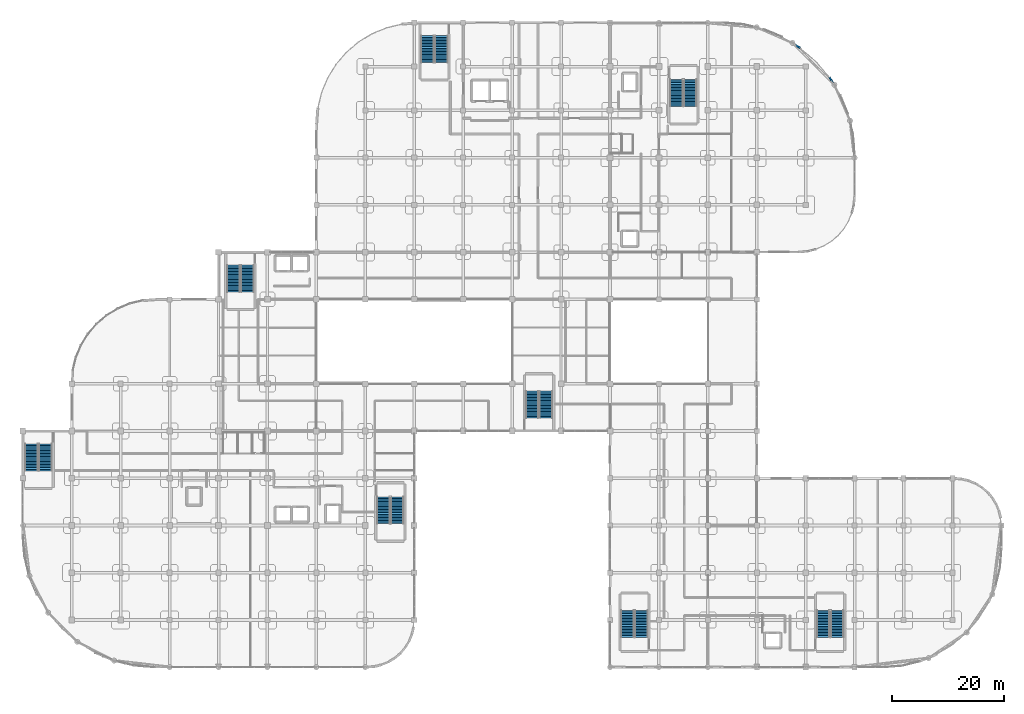
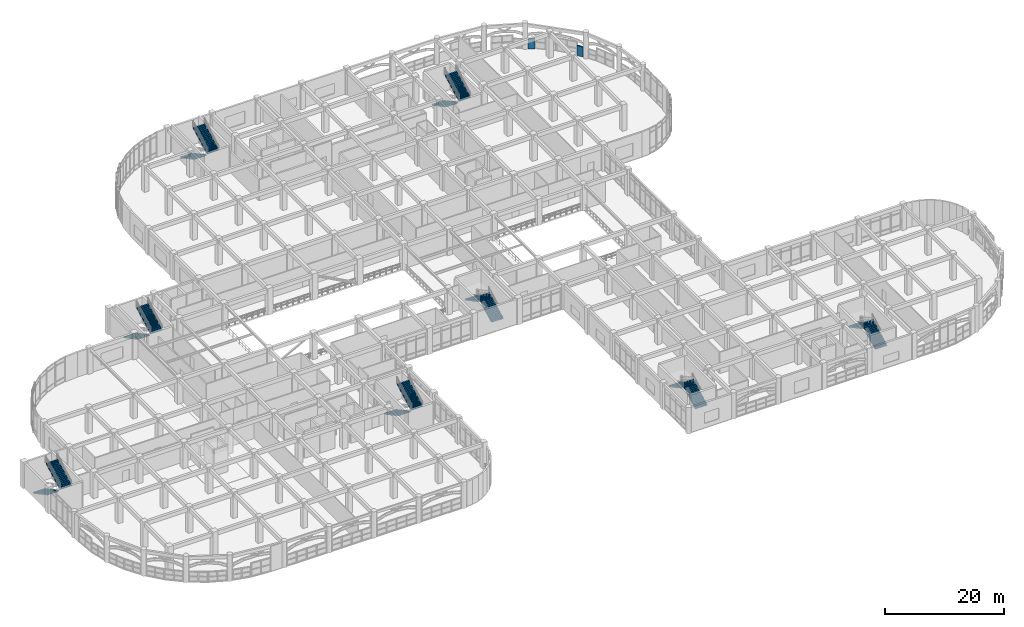
# One storey, part 101 of 114: 16 stair flights, 2 walls, 8 elements without a shape of their own.
"""IFC4 building model written with IfcOpenShell, lengths in metres."""

from ifc_helpers import new_model, si_unit, derived_unit, direction, frame, frame_2d, origin, place, context, subcontext, project, spatial, polyline, rectangle, outline, extrude, material, layer, layer_set, type_object, element, aggregate, save


model = new_model("IFC4")

# Units and contexts
model_context = context("Model", 3, precision=1e-05, world=origin(), true_north=direction((0.0, 1.0)))
body_context = subcontext(model_context, "Body", "Model", "MODEL_VIEW")
ifc_project = project(units=[si_unit("LENGTHUNIT", "METRE"), si_unit("AREAUNIT", "SQUARE_METRE"), si_unit("VOLUMEUNIT", "CUBIC_METRE"), si_unit("PLANEANGLEUNIT", "RADIAN"), si_unit("MASSUNIT", "GRAM", prefix="KILO"), derived_unit("THERMALTRANSMITTANCEUNIT", [(si_unit("MASSUNIT", "GRAM", prefix="KILO"), 1), (si_unit("TIMEUNIT", "SECOND"), -3), (si_unit("THERMODYNAMICTEMPERATUREUNIT", "KELVIN"), -1)])], contexts=[model_context])

# Site, building, storey
site_placement = place(None, origin())
site = spatial("IfcSite", under=ifc_project, at=site_placement, CompositionType="ELEMENT")
building_placement = place(site_placement, origin())
building = spatial("IfcBuilding", under=site, at=building_placement, Name="Qinzheling Arcade Emporium", CompositionType="ELEMENT")
storey_placement = place(building_placement, frame((0.0, 0.0, 6.0)))
storey = spatial("IfcBuildingStorey", under=building, at=storey_placement, Name="L02", CompositionType="ELEMENT", Elevation=6.0)

# Walls
ifc_material_1 = material(Name="Buff glazed terracotta insulated wall", Category="masonry")
ifc_layer = layer(ifc_material_1, 0.2900390625, Name="Buff glazed terracotta insulated wall", Category="masonry")
ifc_layer_set = layer_set([ifc_layer], Name="Buff glazed terracotta insulated wall")
wall_type = type_object("IfcWallType", Name="Office Bar Terracotta Wall 290", PredefinedType="STANDARD", material=ifc_layer_set)
for number, where, z_axis, x_axis, name in (
    (1, (137.222900390625, 110.718994140625, 0.0), (0.0, 0.0, 1.0), (0.852537791363, -0.522665585531, 0.0), "Exterior Wall WL-L02-EW-0131"),
    (2, (143.412109375, 104.9130859375, 0.0), (0.0, 0.0, 1.0), (0.522665585531, -0.852537791363, 0.0), "Exterior Wall WL-L02-EW-0132"),
):
    element("IfcWall", number, at=place(storey_placement, frame(where, z_axis=z_axis, x_axis=x_axis)), inside=storey, type_object=wall_type, Name=name, PredefinedType="STANDARD", context=body_context, shape_type="SweptSolid", body=[
        extrude(rectangle(XDim=1.1611328125, YDim=0.2900390625, at=frame_2d((0.58056640625, 0.0))), origin(), (0.0, 0.0, 1.0), 2.02490234375),
    ])

# Stair, stair flights
ifc_material_2 = material(Name="Concrete C40", Category="concrete")
stair_type = type_object("IfcStairType", Name="Cast-in-Situ Dog-Leg Escape Stair H5400", PredefinedType="HALF_TURN_STAIR", material=ifc_material_2)
stair_1_placement = place(storey_placement, origin())
stair_1 = element("IfcStair", 3, at=stair_1_placement, inside=storey, type_object=stair_type, Name="L02 ST01", PredefinedType="HALF_TURN_STAIR")
stair_flight_type = type_object("IfcStairFlightType", Name="Cast-in-Situ Straight Stair Flight 150x280 H5400", PredefinedType="STRAIGHT", material=ifc_material_2)
stair_flight_1_placement = place(storey_placement, frame((64.110107421875, 30.280029296875, 0.0), z_axis=(0.0, 0.0, 1.0), x_axis=(0.0, -1.0, 0.0)))
stair_flight_1 = element("IfcStairFlight", 4, at=stair_flight_1_placement, type_object=stair_flight_type, Name="ST01 flight 1", NumberOfRisers=18, NumberOfTreads=17, PredefinedType="STRAIGHT", RiserHeight=0.15, TreadLength=0.28, context=body_context, shape_type="SweptSolid", body=[
    extrude(outline(polyline([(0.0, 0.0), (0.0, 0.14990234375), (0.280029296875, 0.14990234375), (0.280029296875, 0.300048828125), (0.56005859375, 0.300048828125), (0.56005859375, 0.449951171875), (0.840087890625, 0.449951171875), (0.840087890625, 0.60009765625), (1.1201171875, 0.60009765625), (1.1201171875, 0.75), (1.39990234375, 0.75), (1.39990234375, 0.89990234375), (1.679931640625, 0.89990234375), (1.679931640625, 1.050048828125), (1.9599609375, 1.050048828125), (1.9599609375, 1.199951171875), (2.239990234375, 1.199951171875), (2.239990234375, 1.35009765625), (2.52001953125, 1.35009765625), (2.52001953125, 1.5), (2.800048828125, 1.5), (2.800048828125, 1.64990234375), (3.080078125, 1.64990234375), (3.080078125, 1.800048828125), (3.360107421875, 1.800048828125), (3.360107421875, 1.949951171875), (3.639892578125, 1.949951171875), (3.639892578125, 2.10009765625), (3.919921875, 2.10009765625), (3.919921875, 2.25), (4.199951171875, 2.25), (4.199951171875, 2.39990234375), (4.47998046875, 2.39990234375), (4.47998046875, 2.550048828125), (4.760009765625, 2.550048828125), (4.760009765625, 2.699951171875), (4.760009765625, 2.36865234375), (0.338623046875, 0.0), (0.0, 0.0)])), frame((0.0, 1.16015625, 0.0), z_axis=(0.0, -1.0, 0.0), x_axis=(1.0, 0.0, 0.0)), (0.0, 0.0, 1.0), 2.320068359375),
])
stair_flight_2_placement = place(storey_placement, frame((66.580078125, 25.52001953125, 2.699951171875), z_axis=(0.0, 0.0, 1.0), x_axis=(0.0, 1.0, 0.0)))
stair_flight_2 = element("IfcStairFlight", 5, at=stair_flight_2_placement, type_object=stair_flight_type, Name="ST01 flight 2", NumberOfRisers=18, NumberOfTreads=17, PredefinedType="STRAIGHT", RiserHeight=0.15, TreadLength=0.28, context=body_context, shape_type="SweptSolid", body=[
    extrude(outline(polyline([(0.0, 0.0), (0.0, 0.14990234375), (0.280029296875, 0.14990234375), (0.280029296875, 0.300048828125), (0.56005859375, 0.300048828125), (0.56005859375, 0.449951171875), (0.840087890625, 0.449951171875), (0.840087890625, 0.60009765625), (1.1201171875, 0.60009765625), (1.1201171875, 0.75), (1.39990234375, 0.75), (1.39990234375, 0.89990234375), (1.679931640625, 0.89990234375), (1.679931640625, 1.050048828125), (1.9599609375, 1.050048828125), (1.9599609375, 1.199951171875), (2.239990234375, 1.199951171875), (2.239990234375, 1.35009765625), (2.52001953125, 1.35009765625), (2.52001953125, 1.5), (2.800048828125, 1.5), (2.800048828125, 1.64990234375), (3.080078125, 1.64990234375), (3.080078125, 1.800048828125), (3.360107421875, 1.800048828125), (3.360107421875, 1.949951171875), (3.639892578125, 1.949951171875), (3.639892578125, 2.10009765625), (3.919921875, 2.10009765625), (3.919921875, 2.25), (4.199951171875, 2.25), (4.199951171875, 2.39990234375), (4.47998046875, 2.39990234375), (4.47998046875, 2.550048828125), (4.760009765625, 2.550048828125), (4.760009765625, 2.699951171875), (4.760009765625, 2.36865234375), (0.338623046875, 0.0), (0.0, 0.0)])), frame((0.0, 1.16015625, 0.0), z_axis=(0.0, -1.0, 0.0), x_axis=(1.0, 0.0, 0.0)), (0.0, 0.0, 1.0), 2.320068359375),
])
aggregate(stair_1, [stair_flight_1, stair_flight_2])

stair_2_placement = place(storey_placement, origin())
stair_2 = element("IfcStair", 6, at=stair_2_placement, inside=storey, type_object=stair_type, Name="L02 ST02", PredefinedType="HALF_TURN_STAIR")
stair_flight_3_placement = place(storey_placement, frame((1.56005859375, 39.679931640625, 0.0), z_axis=(0.0, 0.0, 1.0), x_axis=(0.0, -1.0, 0.0)))
stair_flight_3 = element("IfcStairFlight", 7, at=stair_flight_3_placement, type_object=stair_flight_type, Name="ST02 flight 1", NumberOfRisers=18, NumberOfTreads=17, PredefinedType="STRAIGHT", RiserHeight=0.15, TreadLength=0.28, context=body_context, shape_type="SweptSolid", body=[
    extrude(outline(polyline([(0.0, 0.0), (0.0, 0.14990234375), (0.280029296875, 0.14990234375), (0.280029296875, 0.300048828125), (0.56005859375, 0.300048828125), (0.56005859375, 0.449951171875), (0.840087890625, 0.449951171875), (0.840087890625, 0.60009765625), (1.1201171875, 0.60009765625), (1.1201171875, 0.75), (1.39990234375, 0.75), (1.39990234375, 0.89990234375), (1.679931640625, 0.89990234375), (1.679931640625, 1.050048828125), (1.9599609375, 1.050048828125), (1.9599609375, 1.199951171875), (2.239990234375, 1.199951171875), (2.239990234375, 1.35009765625), (2.52001953125, 1.35009765625), (2.52001953125, 1.5), (2.800048828125, 1.5), (2.800048828125, 1.64990234375), (3.080078125, 1.64990234375), (3.080078125, 1.800048828125), (3.360107421875, 1.800048828125), (3.360107421875, 1.949951171875), (3.639892578125, 1.949951171875), (3.639892578125, 2.10009765625), (3.919921875, 2.10009765625), (3.919921875, 2.25), (4.199951171875, 2.25), (4.199951171875, 2.39990234375), (4.47998046875, 2.39990234375), (4.47998046875, 2.550048828125), (4.760009765625, 2.550048828125), (4.760009765625, 2.699951171875), (4.760009765625, 2.36865234375), (0.338623046875, 0.0), (0.0, 0.0)])), frame((0.0, 1.16015625, 0.0), z_axis=(0.0, -1.0, 0.0), x_axis=(1.0, 0.0, 0.0)), (0.0, 0.0, 1.0), 2.320068359375),
])
stair_flight_4_placement = place(storey_placement, frame((4.030029296875, 34.919921875, 2.699951171875), z_axis=(0.0, 0.0, 1.0), x_axis=(0.0, 1.0, 0.0)))
stair_flight_4 = element("IfcStairFlight", 8, at=stair_flight_4_placement, type_object=stair_flight_type, Name="ST02 flight 2", NumberOfRisers=18, NumberOfTreads=17, PredefinedType="STRAIGHT", RiserHeight=0.15, TreadLength=0.28, context=body_context, shape_type="SweptSolid", body=[
    extrude(outline(polyline([(0.0, 0.0), (0.0, 0.14990234375), (0.280029296875, 0.14990234375), (0.280029296875, 0.300048828125), (0.56005859375, 0.300048828125), (0.56005859375, 0.449951171875), (0.840087890625, 0.449951171875), (0.840087890625, 0.60009765625), (1.1201171875, 0.60009765625), (1.1201171875, 0.75), (1.39990234375, 0.75), (1.39990234375, 0.89990234375), (1.679931640625, 0.89990234375), (1.679931640625, 1.050048828125), (1.9599609375, 1.050048828125), (1.9599609375, 1.199951171875), (2.239990234375, 1.199951171875), (2.239990234375, 1.35009765625), (2.52001953125, 1.35009765625), (2.52001953125, 1.5), (2.800048828125, 1.5), (2.800048828125, 1.64990234375), (3.080078125, 1.64990234375), (3.080078125, 1.800048828125), (3.360107421875, 1.800048828125), (3.360107421875, 1.949951171875), (3.639892578125, 1.949951171875), (3.639892578125, 2.10009765625), (3.919921875, 2.10009765625), (3.919921875, 2.25), (4.199951171875, 2.25), (4.199951171875, 2.39990234375), (4.47998046875, 2.39990234375), (4.47998046875, 2.550048828125), (4.760009765625, 2.550048828125), (4.760009765625, 2.699951171875), (4.760009765625, 2.36865234375), (0.338623046875, 0.0), (0.0, 0.0)])), frame((0.0, 1.16015625, 0.0), z_axis=(0.0, -1.0, 0.0), x_axis=(1.0, 0.0, 0.0)), (0.0, 0.0, 1.0), 2.320068359375),
])
aggregate(stair_2, [stair_flight_3, stair_flight_4])

stair_3_placement = place(storey_placement, origin())
stair_3 = element("IfcStair", 9, at=stair_3_placement, inside=storey, type_object=stair_type, Name="L02 ST03", PredefinedType="HALF_TURN_STAIR")
stair_flight_5_placement = place(storey_placement, frame((37.4599609375, 71.47998046875, 0.0), z_axis=(0.0, 0.0, 1.0), x_axis=(0.0, -1.0, 0.0)))
stair_flight_5 = element("IfcStairFlight", 10, at=stair_flight_5_placement, type_object=stair_flight_type, Name="ST03 flight 1", NumberOfRisers=18, NumberOfTreads=17, PredefinedType="STRAIGHT", RiserHeight=0.15, TreadLength=0.28, context=body_context, shape_type="SweptSolid", body=[
    extrude(outline(polyline([(0.0, 0.0), (0.0, 0.14990234375), (0.280029296875, 0.14990234375), (0.280029296875, 0.300048828125), (0.56005859375, 0.300048828125), (0.56005859375, 0.449951171875), (0.840087890625, 0.449951171875), (0.840087890625, 0.60009765625), (1.1201171875, 0.60009765625), (1.1201171875, 0.75), (1.39990234375, 0.75), (1.39990234375, 0.89990234375), (1.679931640625, 0.89990234375), (1.679931640625, 1.050048828125), (1.9599609375, 1.050048828125), (1.9599609375, 1.199951171875), (2.239990234375, 1.199951171875), (2.239990234375, 1.35009765625), (2.52001953125, 1.35009765625), (2.52001953125, 1.5), (2.800048828125, 1.5), (2.800048828125, 1.64990234375), (3.080078125, 1.64990234375), (3.080078125, 1.800048828125), (3.360107421875, 1.800048828125), (3.360107421875, 1.949951171875), (3.639892578125, 1.949951171875), (3.639892578125, 2.10009765625), (3.919921875, 2.10009765625), (3.919921875, 2.25), (4.199951171875, 2.25), (4.199951171875, 2.39990234375), (4.47998046875, 2.39990234375), (4.47998046875, 2.550048828125), (4.760009765625, 2.550048828125), (4.760009765625, 2.699951171875), (4.760009765625, 2.36865234375), (0.338623046875, 0.0), (0.0, 0.0)])), frame((0.0, 1.16015625, 0.0), z_axis=(0.0, -1.0, 0.0), x_axis=(1.0, 0.0, 0.0)), (0.0, 0.0, 1.0), 2.320068359375),
])
stair_flight_6_placement = place(storey_placement, frame((39.929931640625, 66.719970703125, 2.699951171875), z_axis=(0.0, 0.0, 1.0), x_axis=(0.0, 1.0, 0.0)))
stair_flight_6 = element("IfcStairFlight", 11, at=stair_flight_6_placement, type_object=stair_flight_type, Name="ST03 flight 2", NumberOfRisers=18, NumberOfTreads=17, PredefinedType="STRAIGHT", RiserHeight=0.15, TreadLength=0.28, context=body_context, shape_type="SweptSolid", body=[
    extrude(outline(polyline([(0.0, 0.0), (0.0, 0.14990234375), (0.280029296875, 0.14990234375), (0.280029296875, 0.300048828125), (0.56005859375, 0.300048828125), (0.56005859375, 0.449951171875), (0.840087890625, 0.449951171875), (0.840087890625, 0.60009765625), (1.1201171875, 0.60009765625), (1.1201171875, 0.75), (1.39990234375, 0.75), (1.39990234375, 0.89990234375), (1.679931640625, 0.89990234375), (1.679931640625, 1.050048828125), (1.9599609375, 1.050048828125), (1.9599609375, 1.199951171875), (2.239990234375, 1.199951171875), (2.239990234375, 1.35009765625), (2.52001953125, 1.35009765625), (2.52001953125, 1.5), (2.800048828125, 1.5), (2.800048828125, 1.64990234375), (3.080078125, 1.64990234375), (3.080078125, 1.800048828125), (3.360107421875, 1.800048828125), (3.360107421875, 1.949951171875), (3.639892578125, 1.949951171875), (3.639892578125, 2.10009765625), (3.919921875, 2.10009765625), (3.919921875, 2.25), (4.199951171875, 2.25), (4.199951171875, 2.39990234375), (4.47998046875, 2.39990234375), (4.47998046875, 2.550048828125), (4.760009765625, 2.550048828125), (4.760009765625, 2.699951171875), (4.760009765625, 2.36865234375), (0.338623046875, 0.0), (0.0, 0.0)])), frame((0.0, 1.16015625, 0.0), z_axis=(0.0, -1.0, 0.0), x_axis=(1.0, 0.0, 0.0)), (0.0, 0.0, 1.0), 2.320068359375),
])
aggregate(stair_3, [stair_flight_5, stair_flight_6])

stair_4_placement = place(storey_placement, origin())
stair_4 = element("IfcStair", 12, at=stair_4_placement, inside=storey, type_object=stair_type, Name="L02 ST04", PredefinedType="HALF_TURN_STAIR")
stair_flight_7_placement = place(storey_placement, frame((93.030029296875, 44.320068359375, 0.0), z_axis=(0.0, 0.0, 1.0), x_axis=(0.0, 1.0, 0.0)))
stair_flight_7 = element("IfcStairFlight", 13, at=stair_flight_7_placement, type_object=stair_flight_type, Name="ST04 flight 1", NumberOfRisers=18, NumberOfTreads=17, PredefinedType="STRAIGHT", RiserHeight=0.15, TreadLength=0.28, context=body_context, shape_type="SweptSolid", body=[
    extrude(outline(polyline([(0.0, 0.0), (0.0, 0.14990234375), (0.280029296875, 0.14990234375), (0.280029296875, 0.300048828125), (0.56005859375, 0.300048828125), (0.56005859375, 0.449951171875), (0.840087890625, 0.449951171875), (0.840087890625, 0.60009765625), (1.1201171875, 0.60009765625), (1.1201171875, 0.75), (1.39990234375, 0.75), (1.39990234375, 0.89990234375), (1.679931640625, 0.89990234375), (1.679931640625, 1.050048828125), (1.9599609375, 1.050048828125), (1.9599609375, 1.199951171875), (2.239990234375, 1.199951171875), (2.239990234375, 1.35009765625), (2.52001953125, 1.35009765625), (2.52001953125, 1.5), (2.800048828125, 1.5), (2.800048828125, 1.64990234375), (3.080078125, 1.64990234375), (3.080078125, 1.800048828125), (3.360107421875, 1.800048828125), (3.360107421875, 1.949951171875), (3.639892578125, 1.949951171875), (3.639892578125, 2.10009765625), (3.919921875, 2.10009765625), (3.919921875, 2.25), (4.199951171875, 2.25), (4.199951171875, 2.39990234375), (4.47998046875, 2.39990234375), (4.47998046875, 2.550048828125), (4.760009765625, 2.550048828125), (4.760009765625, 2.699951171875), (4.760009765625, 2.36865234375), (0.338623046875, 0.0), (0.0, 0.0)])), frame((0.0, 1.16015625, 0.0), z_axis=(0.0, -1.0, 0.0), x_axis=(1.0, 0.0, 0.0)), (0.0, 0.0, 1.0), 2.320068359375),
])
stair_flight_8_placement = place(storey_placement, frame((90.56005859375, 49.080078125, 2.699951171875), z_axis=(0.0, 0.0, 1.0), x_axis=(0.0, -1.0, 0.0)))
stair_flight_8 = element("IfcStairFlight", 14, at=stair_flight_8_placement, type_object=stair_flight_type, Name="ST04 flight 2", NumberOfRisers=18, NumberOfTreads=17, PredefinedType="STRAIGHT", RiserHeight=0.15, TreadLength=0.28, context=body_context, shape_type="SweptSolid", body=[
    extrude(outline(polyline([(0.0, 0.0), (0.0, 0.14990234375), (0.280029296875, 0.14990234375), (0.280029296875, 0.300048828125), (0.56005859375, 0.300048828125), (0.56005859375, 0.449951171875), (0.840087890625, 0.449951171875), (0.840087890625, 0.60009765625), (1.1201171875, 0.60009765625), (1.1201171875, 0.75), (1.39990234375, 0.75), (1.39990234375, 0.89990234375), (1.679931640625, 0.89990234375), (1.679931640625, 1.050048828125), (1.9599609375, 1.050048828125), (1.9599609375, 1.199951171875), (2.239990234375, 1.199951171875), (2.239990234375, 1.35009765625), (2.52001953125, 1.35009765625), (2.52001953125, 1.5), (2.800048828125, 1.5), (2.800048828125, 1.64990234375), (3.080078125, 1.64990234375), (3.080078125, 1.800048828125), (3.360107421875, 1.800048828125), (3.360107421875, 1.949951171875), (3.639892578125, 1.949951171875), (3.639892578125, 2.10009765625), (3.919921875, 2.10009765625), (3.919921875, 2.25), (4.199951171875, 2.25), (4.199951171875, 2.39990234375), (4.47998046875, 2.39990234375), (4.47998046875, 2.550048828125), (4.760009765625, 2.550048828125), (4.760009765625, 2.699951171875), (4.760009765625, 2.36865234375), (0.338623046875, 0.0), (0.0, 0.0)])), frame((0.0, 1.16015625, 0.0), z_axis=(0.0, -1.0, 0.0), x_axis=(1.0, 0.0, 0.0)), (0.0, 0.0, 1.0), 2.320068359375),
])
aggregate(stair_4, [stair_flight_7, stair_flight_8])

stair_5_placement = place(storey_placement, origin())
stair_5 = element("IfcStair", 15, at=stair_5_placement, inside=storey, type_object=stair_type, Name="L02 ST05", PredefinedType="HALF_TURN_STAIR")
stair_flight_9_placement = place(storey_placement, frame((109.985107421875, 5.320068359375, 0.0), z_axis=(0.0, 0.0, 1.0), x_axis=(0.0, 1.0, 0.0)))
stair_flight_9 = element("IfcStairFlight", 16, at=stair_flight_9_placement, type_object=stair_flight_type, Name="ST05 flight 1", NumberOfRisers=18, NumberOfTreads=17, PredefinedType="STRAIGHT", RiserHeight=0.15, TreadLength=0.28, context=body_context, shape_type="SweptSolid", body=[
    extrude(outline(polyline([(0.0, 0.0), (0.0, 0.14990234375), (0.280029296875, 0.14990234375), (0.280029296875, 0.300048828125), (0.56005859375, 0.300048828125), (0.56005859375, 0.449951171875), (0.840087890625, 0.449951171875), (0.840087890625, 0.60009765625), (1.1201171875, 0.60009765625), (1.1201171875, 0.75), (1.39990234375, 0.75), (1.39990234375, 0.89990234375), (1.679931640625, 0.89990234375), (1.679931640625, 1.050048828125), (1.9599609375, 1.050048828125), (1.9599609375, 1.199951171875), (2.239990234375, 1.199951171875), (2.239990234375, 1.35009765625), (2.52001953125, 1.35009765625), (2.52001953125, 1.5), (2.800048828125, 1.5), (2.800048828125, 1.64990234375), (3.080078125, 1.64990234375), (3.080078125, 1.800048828125), (3.360107421875, 1.800048828125), (3.360107421875, 1.949951171875), (3.639892578125, 1.949951171875), (3.639892578125, 2.10009765625), (3.919921875, 2.10009765625), (3.919921875, 2.25), (4.199951171875, 2.25), (4.199951171875, 2.39990234375), (4.47998046875, 2.39990234375), (4.47998046875, 2.550048828125), (4.760009765625, 2.550048828125), (4.760009765625, 2.699951171875), (4.760009765625, 2.36865234375), (0.338623046875, 0.0), (0.0, 0.0)])), frame((0.0, 1.16015625, 0.0), z_axis=(0.0, -1.0, 0.0), x_axis=(1.0, 0.0, 0.0)), (0.0, 0.0, 1.0), 2.320068359375),
])
stair_flight_10_placement = place(storey_placement, frame((107.514892578125, 10.080078125, 2.699951171875), z_axis=(0.0, 0.0, 1.0), x_axis=(0.0, -1.0, 0.0)))
stair_flight_10 = element("IfcStairFlight", 17, at=stair_flight_10_placement, type_object=stair_flight_type, Name="ST05 flight 2", NumberOfRisers=18, NumberOfTreads=17, PredefinedType="STRAIGHT", RiserHeight=0.15, TreadLength=0.28, context=body_context, shape_type="SweptSolid", body=[
    extrude(outline(polyline([(0.0, 0.0), (0.0, 0.14990234375), (0.280029296875, 0.14990234375), (0.280029296875, 0.300048828125), (0.56005859375, 0.300048828125), (0.56005859375, 0.449951171875), (0.840087890625, 0.449951171875), (0.840087890625, 0.60009765625), (1.1201171875, 0.60009765625), (1.1201171875, 0.75), (1.39990234375, 0.75), (1.39990234375, 0.89990234375), (1.679931640625, 0.89990234375), (1.679931640625, 1.050048828125), (1.9599609375, 1.050048828125), (1.9599609375, 1.199951171875), (2.239990234375, 1.199951171875), (2.239990234375, 1.35009765625), (2.52001953125, 1.35009765625), (2.52001953125, 1.5), (2.800048828125, 1.5), (2.800048828125, 1.64990234375), (3.080078125, 1.64990234375), (3.080078125, 1.800048828125), (3.360107421875, 1.800048828125), (3.360107421875, 1.949951171875), (3.639892578125, 1.949951171875), (3.639892578125, 2.10009765625), (3.919921875, 2.10009765625), (3.919921875, 2.25), (4.199951171875, 2.25), (4.199951171875, 2.39990234375), (4.47998046875, 2.39990234375), (4.47998046875, 2.550048828125), (4.760009765625, 2.550048828125), (4.760009765625, 2.699951171875), (4.760009765625, 2.36865234375), (0.338623046875, 0.0), (0.0, 0.0)])), frame((0.0, 1.16015625, 0.0), z_axis=(0.0, -1.0, 0.0), x_axis=(1.0, 0.0, 0.0)), (0.0, 0.0, 1.0), 2.320068359375),
])
aggregate(stair_5, [stair_flight_9, stair_flight_10])

stair_6_placement = place(storey_placement, origin())
stair_6 = element("IfcStair", 18, at=stair_6_placement, inside=storey, type_object=stair_type, Name="L02 ST06", PredefinedType="HALF_TURN_STAIR")
stair_flight_11_placement = place(storey_placement, frame((144.784912109375, 5.320068359375, 0.0), z_axis=(0.0, 0.0, 1.0), x_axis=(0.0, 1.0, 0.0)))
stair_flight_11 = element("IfcStairFlight", 19, at=stair_flight_11_placement, type_object=stair_flight_type, Name="ST06 flight 1", NumberOfRisers=18, NumberOfTreads=17, PredefinedType="STRAIGHT", RiserHeight=0.15, TreadLength=0.28, context=body_context, shape_type="SweptSolid", body=[
    extrude(outline(polyline([(0.0, 0.0), (0.0, 0.14990234375), (0.280029296875, 0.14990234375), (0.280029296875, 0.300048828125), (0.56005859375, 0.300048828125), (0.56005859375, 0.449951171875), (0.840087890625, 0.449951171875), (0.840087890625, 0.60009765625), (1.1201171875, 0.60009765625), (1.1201171875, 0.75), (1.39990234375, 0.75), (1.39990234375, 0.89990234375), (1.679931640625, 0.89990234375), (1.679931640625, 1.050048828125), (1.9599609375, 1.050048828125), (1.9599609375, 1.199951171875), (2.239990234375, 1.199951171875), (2.239990234375, 1.35009765625), (2.52001953125, 1.35009765625), (2.52001953125, 1.5), (2.800048828125, 1.5), (2.800048828125, 1.64990234375), (3.080078125, 1.64990234375), (3.080078125, 1.800048828125), (3.360107421875, 1.800048828125), (3.360107421875, 1.949951171875), (3.639892578125, 1.949951171875), (3.639892578125, 2.10009765625), (3.919921875, 2.10009765625), (3.919921875, 2.25), (4.199951171875, 2.25), (4.199951171875, 2.39990234375), (4.47998046875, 2.39990234375), (4.47998046875, 2.550048828125), (4.760009765625, 2.550048828125), (4.760009765625, 2.699951171875), (4.760009765625, 2.36865234375), (0.338623046875, 0.0), (0.0, 0.0)])), frame((0.0, 1.16015625, 0.0), z_axis=(0.0, -1.0, 0.0), x_axis=(1.0, 0.0, 0.0)), (0.0, 0.0, 1.0), 2.320068359375),
])
stair_flight_12_placement = place(storey_placement, frame((142.31494140625, 10.080078125, 2.699951171875), z_axis=(0.0, 0.0, 1.0), x_axis=(0.0, -1.0, 0.0)))
stair_flight_12 = element("IfcStairFlight", 20, at=stair_flight_12_placement, type_object=stair_flight_type, Name="ST06 flight 2", NumberOfRisers=18, NumberOfTreads=17, PredefinedType="STRAIGHT", RiserHeight=0.15, TreadLength=0.28, context=body_context, shape_type="SweptSolid", body=[
    extrude(outline(polyline([(0.0, 0.0), (0.0, 0.14990234375), (0.280029296875, 0.14990234375), (0.280029296875, 0.300048828125), (0.56005859375, 0.300048828125), (0.56005859375, 0.449951171875), (0.840087890625, 0.449951171875), (0.840087890625, 0.60009765625), (1.1201171875, 0.60009765625), (1.1201171875, 0.75), (1.39990234375, 0.75), (1.39990234375, 0.89990234375), (1.679931640625, 0.89990234375), (1.679931640625, 1.050048828125), (1.9599609375, 1.050048828125), (1.9599609375, 1.199951171875), (2.239990234375, 1.199951171875), (2.239990234375, 1.35009765625), (2.52001953125, 1.35009765625), (2.52001953125, 1.5), (2.800048828125, 1.5), (2.800048828125, 1.64990234375), (3.080078125, 1.64990234375), (3.080078125, 1.800048828125), (3.360107421875, 1.800048828125), (3.360107421875, 1.949951171875), (3.639892578125, 1.949951171875), (3.639892578125, 2.10009765625), (3.919921875, 2.10009765625), (3.919921875, 2.25), (4.199951171875, 2.25), (4.199951171875, 2.39990234375), (4.47998046875, 2.39990234375), (4.47998046875, 2.550048828125), (4.760009765625, 2.550048828125), (4.760009765625, 2.699951171875), (4.760009765625, 2.36865234375), (0.338623046875, 0.0), (0.0, 0.0)])), frame((0.0, 1.16015625, 0.0), z_axis=(0.0, -1.0, 0.0), x_axis=(1.0, 0.0, 0.0)), (0.0, 0.0, 1.0), 2.320068359375),
])
aggregate(stair_6, [stair_flight_11, stair_flight_12])

stair_7_placement = place(storey_placement, origin())
stair_7 = element("IfcStair", 21, at=stair_7_placement, inside=storey, type_object=stair_type, Name="L02 ST07", PredefinedType="HALF_TURN_STAIR")
stair_flight_13_placement = place(storey_placement, frame((71.9599609375, 112.280029296875, 0.0), z_axis=(0.0, 0.0, 1.0), x_axis=(0.0, -1.0, 0.0)))
stair_flight_13 = element("IfcStairFlight", 22, at=stair_flight_13_placement, type_object=stair_flight_type, Name="ST07 flight 1", NumberOfRisers=18, NumberOfTreads=17, PredefinedType="STRAIGHT", RiserHeight=0.15, TreadLength=0.28, context=body_context, shape_type="SweptSolid", body=[
    extrude(outline(polyline([(0.0, 0.0), (0.0, 0.14990234375), (0.280029296875, 0.14990234375), (0.280029296875, 0.300048828125), (0.56005859375, 0.300048828125), (0.56005859375, 0.449951171875), (0.840087890625, 0.449951171875), (0.840087890625, 0.60009765625), (1.1201171875, 0.60009765625), (1.1201171875, 0.75), (1.39990234375, 0.75), (1.39990234375, 0.89990234375), (1.679931640625, 0.89990234375), (1.679931640625, 1.050048828125), (1.9599609375, 1.050048828125), (1.9599609375, 1.199951171875), (2.239990234375, 1.199951171875), (2.239990234375, 1.35009765625), (2.52001953125, 1.35009765625), (2.52001953125, 1.5), (2.800048828125, 1.5), (2.800048828125, 1.64990234375), (3.080078125, 1.64990234375), (3.080078125, 1.800048828125), (3.360107421875, 1.800048828125), (3.360107421875, 1.949951171875), (3.639892578125, 1.949951171875), (3.639892578125, 2.10009765625), (3.919921875, 2.10009765625), (3.919921875, 2.25), (4.199951171875, 2.25), (4.199951171875, 2.39990234375), (4.47998046875, 2.39990234375), (4.47998046875, 2.550048828125), (4.760009765625, 2.550048828125), (4.760009765625, 2.699951171875), (4.760009765625, 2.36865234375), (0.338623046875, 0.0), (0.0, 0.0)])), frame((0.0, 1.16015625, 0.0), z_axis=(0.0, -1.0, 0.0), x_axis=(1.0, 0.0, 0.0)), (0.0, 0.0, 1.0), 2.320068359375),
])
stair_flight_14_placement = place(storey_placement, frame((74.429931640625, 107.52001953125, 2.699951171875), z_axis=(0.0, 0.0, 1.0), x_axis=(0.0, 1.0, 0.0)))
stair_flight_14 = element("IfcStairFlight", 23, at=stair_flight_14_placement, type_object=stair_flight_type, Name="ST07 flight 2", NumberOfRisers=18, NumberOfTreads=17, PredefinedType="STRAIGHT", RiserHeight=0.15, TreadLength=0.28, context=body_context, shape_type="SweptSolid", body=[
    extrude(outline(polyline([(0.0, 0.0), (0.0, 0.14990234375), (0.280029296875, 0.14990234375), (0.280029296875, 0.300048828125), (0.56005859375, 0.300048828125), (0.56005859375, 0.449951171875), (0.840087890625, 0.449951171875), (0.840087890625, 0.60009765625), (1.1201171875, 0.60009765625), (1.1201171875, 0.75), (1.39990234375, 0.75), (1.39990234375, 0.89990234375), (1.679931640625, 0.89990234375), (1.679931640625, 1.050048828125), (1.9599609375, 1.050048828125), (1.9599609375, 1.199951171875), (2.239990234375, 1.199951171875), (2.239990234375, 1.35009765625), (2.52001953125, 1.35009765625), (2.52001953125, 1.5), (2.800048828125, 1.5), (2.800048828125, 1.64990234375), (3.080078125, 1.64990234375), (3.080078125, 1.800048828125), (3.360107421875, 1.800048828125), (3.360107421875, 1.949951171875), (3.639892578125, 1.949951171875), (3.639892578125, 2.10009765625), (3.919921875, 2.10009765625), (3.919921875, 2.25), (4.199951171875, 2.25), (4.199951171875, 2.39990234375), (4.47998046875, 2.39990234375), (4.47998046875, 2.550048828125), (4.760009765625, 2.550048828125), (4.760009765625, 2.699951171875), (4.760009765625, 2.36865234375), (0.338623046875, 0.0), (0.0, 0.0)])), frame((0.0, 1.16015625, 0.0), z_axis=(0.0, -1.0, 0.0), x_axis=(1.0, 0.0, 0.0)), (0.0, 0.0, 1.0), 2.320068359375),
])
aggregate(stair_7, [stair_flight_13, stair_flight_14])

stair_8_placement = place(storey_placement, origin())
stair_8 = element("IfcStair", 24, at=stair_8_placement, inside=storey, type_object=stair_type, Name="L02 ST08", PredefinedType="HALF_TURN_STAIR")
stair_flight_15_placement = place(storey_placement, frame((116.215087890625, 104.47998046875, 0.0), z_axis=(0.0, 0.0, 1.0), x_axis=(0.0, -1.0, 0.0)))
stair_flight_15 = element("IfcStairFlight", 25, at=stair_flight_15_placement, type_object=stair_flight_type, Name="ST08 flight 1", NumberOfRisers=18, NumberOfTreads=17, PredefinedType="STRAIGHT", RiserHeight=0.15, TreadLength=0.28, context=body_context, shape_type="SweptSolid", body=[
    extrude(outline(polyline([(0.0, 0.0), (0.0, 0.14990234375), (0.280029296875, 0.14990234375), (0.280029296875, 0.300048828125), (0.56005859375, 0.300048828125), (0.56005859375, 0.449951171875), (0.840087890625, 0.449951171875), (0.840087890625, 0.60009765625), (1.1201171875, 0.60009765625), (1.1201171875, 0.75), (1.39990234375, 0.75), (1.39990234375, 0.89990234375), (1.679931640625, 0.89990234375), (1.679931640625, 1.050048828125), (1.9599609375, 1.050048828125), (1.9599609375, 1.199951171875), (2.239990234375, 1.199951171875), (2.239990234375, 1.35009765625), (2.52001953125, 1.35009765625), (2.52001953125, 1.5), (2.800048828125, 1.5), (2.800048828125, 1.64990234375), (3.080078125, 1.64990234375), (3.080078125, 1.800048828125), (3.360107421875, 1.800048828125), (3.360107421875, 1.949951171875), (3.639892578125, 1.949951171875), (3.639892578125, 2.10009765625), (3.919921875, 2.10009765625), (3.919921875, 2.25), (4.199951171875, 2.25), (4.199951171875, 2.39990234375), (4.47998046875, 2.39990234375), (4.47998046875, 2.550048828125), (4.760009765625, 2.550048828125), (4.760009765625, 2.699951171875), (4.760009765625, 2.36865234375), (0.338623046875, 0.0), (0.0, 0.0)])), frame((0.0, 1.16015625, 0.0), z_axis=(0.0, -1.0, 0.0), x_axis=(1.0, 0.0, 0.0)), (0.0, 0.0, 1.0), 2.320068359375),
])
stair_flight_16_placement = place(storey_placement, frame((118.68505859375, 99.719970703125, 2.699951171875), z_axis=(0.0, 0.0, 1.0), x_axis=(0.0, 1.0, 0.0)))
stair_flight_16 = element("IfcStairFlight", 26, at=stair_flight_16_placement, type_object=stair_flight_type, Name="ST08 flight 2", NumberOfRisers=18, NumberOfTreads=17, PredefinedType="STRAIGHT", RiserHeight=0.15, TreadLength=0.28, context=body_context, shape_type="SweptSolid", body=[
    extrude(outline(polyline([(0.0, 0.0), (0.0, 0.14990234375), (0.280029296875, 0.14990234375), (0.280029296875, 0.300048828125), (0.56005859375, 0.300048828125), (0.56005859375, 0.449951171875), (0.840087890625, 0.449951171875), (0.840087890625, 0.60009765625), (1.1201171875, 0.60009765625), (1.1201171875, 0.75), (1.39990234375, 0.75), (1.39990234375, 0.89990234375), (1.679931640625, 0.89990234375), (1.679931640625, 1.050048828125), (1.9599609375, 1.050048828125), (1.9599609375, 1.199951171875), (2.239990234375, 1.199951171875), (2.239990234375, 1.35009765625), (2.52001953125, 1.35009765625), (2.52001953125, 1.5), (2.800048828125, 1.5), (2.800048828125, 1.64990234375), (3.080078125, 1.64990234375), (3.080078125, 1.800048828125), (3.360107421875, 1.800048828125), (3.360107421875, 1.949951171875), (3.639892578125, 1.949951171875), (3.639892578125, 2.10009765625), (3.919921875, 2.10009765625), (3.919921875, 2.25), (4.199951171875, 2.25), (4.199951171875, 2.39990234375), (4.47998046875, 2.39990234375), (4.47998046875, 2.550048828125), (4.760009765625, 2.550048828125), (4.760009765625, 2.699951171875), (4.760009765625, 2.36865234375), (0.338623046875, 0.0), (0.0, 0.0)])), frame((0.0, 1.16015625, 0.0), z_axis=(0.0, -1.0, 0.0), x_axis=(1.0, 0.0, 0.0)), (0.0, 0.0, 1.0), 2.320068359375),
])
aggregate(stair_8, [stair_flight_15, stair_flight_16])

save(model, "model.ifc")
